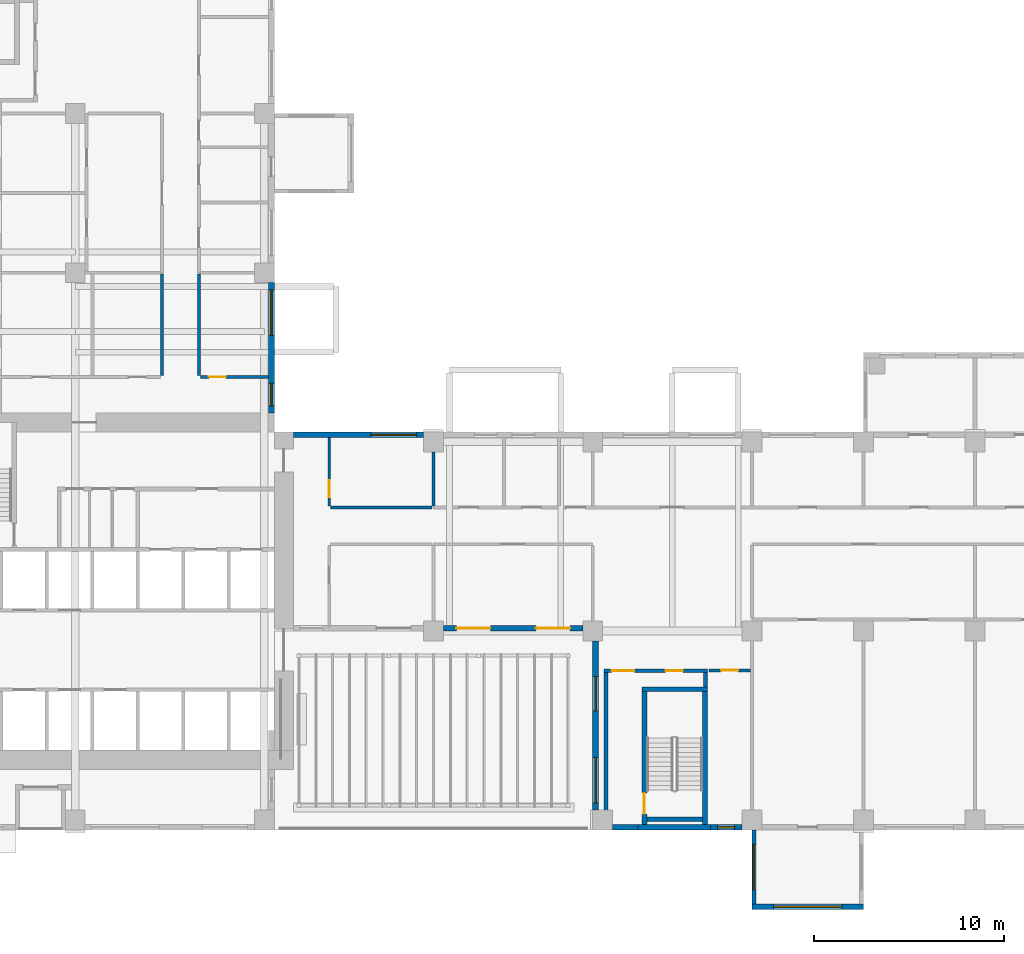
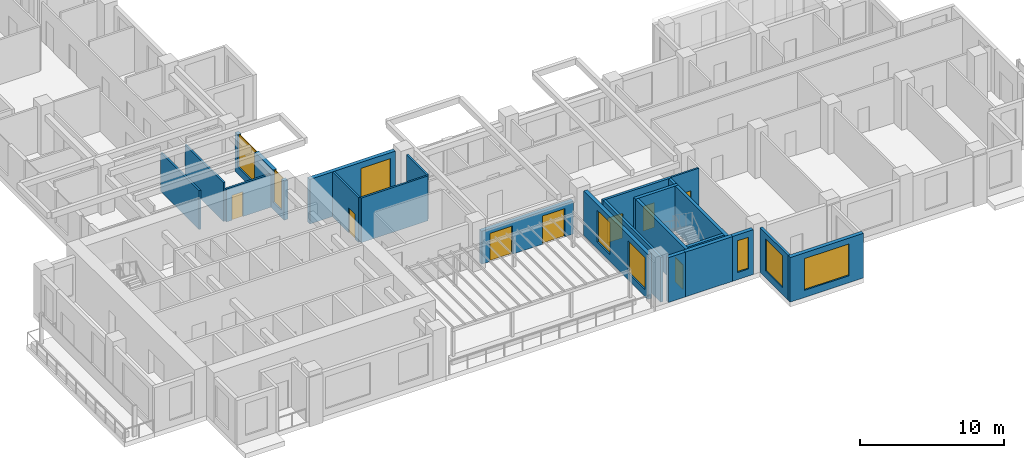
# One storey, part 5 of 15: 23 walls, 8 doors, 8 windows, 16 openings.
"""IFC4 building model written with IfcOpenShell, lengths in metres."""

from ifc_helpers import new_model, si_unit, direction, frame, frame_2d, origin, place, context, subcontext, project, spatial, rectangle, extrude, source, transform, mapped, material, layer, layer_set, type_object, element, fill, save


model = new_model("IFC4")

# Units and contexts
model_context = context("Model", 3, precision=1e-05, world=origin(), true_north=direction((0.0, 1.0)))
body_context = subcontext(model_context, "Body", "Model", "MODEL_VIEW")
ifc_project = project(units=[si_unit("LENGTHUNIT", "METRE"), si_unit("AREAUNIT", "SQUARE_METRE"), si_unit("VOLUMEUNIT", "CUBIC_METRE"), si_unit("PLANEANGLEUNIT", "RADIAN"), si_unit("MASSUNIT", "GRAM", prefix="KILO")], contexts=[model_context])

# Site, building, storey
site_placement = place(None, origin())
site = spatial("IfcSite", under=ifc_project, at=site_placement, CompositionType="ELEMENT")
building_placement = place(site_placement, origin())
building = spatial("IfcBuilding", under=site, at=building_placement, Name="Aurelian Terraces", CompositionType="ELEMENT")
storey_placement = place(building_placement, frame((0.0, 0.0, 145.5)))
storey = spatial("IfcBuildingStorey", under=building, at=storey_placement, Name="L32", CompositionType="ELEMENT", Elevation=145.5)

# Wall
ifc_material_1 = material(Name="Concrete fc' 40 MPa", Category="concrete")
ifc_layer_1 = layer(ifc_material_1, 0.3)
ifc_layer_set_1 = layer_set([ifc_layer_1], Name="STAIR BAY WALL 300")
wall_type_1 = type_object("IfcWallType", Name="STAIR BAY WALL 300", PredefinedType="SOLIDWALL", material=ifc_layer_set_1)
shared_shape_1 = source(origin(), body_context, "Body", "SweptSolid", [
    extrude(rectangle(XDim=3.8, YDim=0.3, at=frame_2d((1.9, 0.0))), origin(), (0.0, 0.0, 1.0), 3.8),
])
wall_1_placement = place(storey_placement, frame((40.2, 0.15, 0.0), z_axis=(0.0, 0.0, 1.0), x_axis=(1.0, 0.0, 0.0)))
element("IfcWall", 1, at=wall_1_placement, inside=storey, type_object=wall_type_1, Name="Stair bay wall L32 F05.9", PredefinedType="SOLIDWALL", context=body_context, shape_type="MappedRepresentation", body=[
    mapped(shared_shape_1, transform((0.0, 0.0, 0.0), scale=1.0)),
])

# Wall, opening, window
ifc_layer_2 = layer(ifc_material_1, 0.2)
ifc_layer_set_2 = layer_set([ifc_layer_2], Name="BOX BEARING WALL 200")
wall_type_2 = type_object("IfcWallType", Name="BOX BEARING WALL 200", PredefinedType="SOLIDWALL", material=ifc_layer_set_2)
shared_shape_2 = source(origin(), body_context, "Body", "SweptSolid", [
    extrude(rectangle(XDim=3.9, YDim=0.2, at=frame_2d((1.95, 0.0))), origin(), (0.0, 0.0, 1.0), 3.79),
])
wall_2_placement = place(storey_placement, frame((46.3, 0.0, 0.0), z_axis=(0.0, 0.0, 1.0), x_axis=(0.0, -1.0, 0.0)))
wall_2 = element("IfcWall", 2, at=wall_2_placement, inside=storey, type_object=wall_type_2, Name="Box return L32 J45.1", PredefinedType="SOLIDWALL", context=body_context, shape_type="MappedRepresentation", body=[
    mapped(shared_shape_2, transform((0.0, 0.0, 0.0), scale=1.0)),
])
shared_shape_3 = source(origin(), body_context, "Body", "SweptSolid", [
    extrude(rectangle(XDim=2.4, YDim=2.7, at=frame_2d((1.2, 1.35))), frame((0.0, 0.11, 0.0), z_axis=(0.0, -1.0, 0.0), x_axis=(1.0, 0.0, 0.0)), (0.0, 0.0, 1.0), 0.22),
])
opening_1_placement = place(wall_2_placement, frame((0.75, 0.0, 0.6)))
opening_1 = element("IfcOpeningElement", 3, at=opening_1_placement, cuts=wall_2, Name="Opening W2427", PredefinedType="OPENING", context=body_context, shape_type="MappedRepresentation", body=[
    mapped(shared_shape_3, transform((0.0, 0.0, 0.0), scale=1.0)),
])
ifc_material_2 = material(Name="Clear glazing", Category="glass")
window_type_1 = type_object("IfcWindowType", Name="W-2400x2700", PartitioningType="SINGLE_PANEL", PredefinedType="WINDOW", material=ifc_material_2)
shared_shape_4 = source(origin(), body_context, "Body", "SweptSolid", [
    extrude(rectangle(XDim=2.4, YDim=2.7, at=frame_2d((1.2, 1.35))), frame((0.0, 0.03, 0.0), z_axis=(0.0, -1.0, 0.0), x_axis=(1.0, 0.0, 0.0)), (0.0, 0.0, 1.0), 0.06),
])
window_1_placement = place(opening_1_placement, origin())
window_1 = element("IfcWindow", 4, at=window_1_placement, inside=storey, type_object=window_type_1, Name="Window L32 J45-S1", OverallHeight=2.7, OverallWidth=2.4, PartitioningType="SINGLE_PANEL", PredefinedType="WINDOW", context=body_context, shape_type="MappedRepresentation", body=[
    mapped(shared_shape_4, transform((0.0, 0.0, 0.0), scale=1.0)),
])
fill(opening_1, window_1)

ifc_layer_3 = layer(ifc_material_1, 0.3)
ifc_layer_set_3 = layer_set([ifc_layer_3], Name="BOX BEARING WALL 300")
wall_type_3 = type_object("IfcWallType", Name="BOX BEARING WALL 300", PredefinedType="SOLIDWALL", material=ifc_layer_set_3)
shared_shape_5 = source(origin(), body_context, "Body", "SweptSolid", [
    extrude(rectangle(XDim=5.88, YDim=0.3, at=frame_2d((2.94, 0.0))), origin(), (0.0, 0.0, 1.0), 3.79),
])
wall_3_placement = place(storey_placement, frame((46.2, -4.05, 0.0), z_axis=(0.0, 0.0, 1.0), x_axis=(1.0, 0.0, 0.0)))
wall_3 = element("IfcWall", 5, at=wall_3_placement, inside=storey, type_object=wall_type_3, Name="Box wall L32 J45", PredefinedType="SOLIDWALL", context=body_context, shape_type="MappedRepresentation", body=[
    mapped(shared_shape_5, transform((0.0, 0.0, 0.0), scale=1.0)),
])
shared_shape_6 = source(origin(), body_context, "Body", "SweptSolid", [
    extrude(rectangle(XDim=3.6, YDim=2.7, at=frame_2d((1.8, 1.35))), frame((0.0, 0.16, 0.0), z_axis=(0.0, -1.0, 0.0), x_axis=(1.0, 0.0, 0.0)), (0.0, 0.0, 1.0), 0.32),
])
opening_2_placement = place(wall_3_placement, frame((1.14, 0.0, 0.6)))
opening_2 = element("IfcOpeningElement", 6, at=opening_2_placement, cuts=wall_3, Name="Opening W3627", PredefinedType="OPENING", context=body_context, shape_type="MappedRepresentation", body=[
    mapped(shared_shape_6, transform((0.0, 0.0, 0.0), scale=1.0)),
])
window_type_2 = type_object("IfcWindowType", Name="W-3600x2700", PartitioningType="SINGLE_PANEL", PredefinedType="WINDOW", material=ifc_material_2)
shared_shape_7 = source(origin(), body_context, "Body", "SweptSolid", [
    extrude(rectangle(XDim=3.6, YDim=2.7, at=frame_2d((1.8, 1.35))), frame((0.0, 0.03, 0.0), z_axis=(0.0, -1.0, 0.0), x_axis=(1.0, 0.0, 0.0)), (0.0, 0.0, 1.0), 0.06),
])
window_2_placement = place(opening_2_placement, origin())
window_2 = element("IfcWindow", 7, at=window_2_placement, inside=storey, type_object=window_type_2, Name="Window L32 J45-F1", OverallHeight=2.7, OverallWidth=3.6, PartitioningType="SINGLE_PANEL", PredefinedType="WINDOW", context=body_context, shape_type="MappedRepresentation", body=[
    mapped(shared_shape_7, transform((0.0, 0.0, 0.0), scale=1.0)),
])
fill(opening_2, window_2)

# Wall, openings, windows
ifc_material_3 = material(Name="Terracotta rainscreen cladding", Category="masonry")
ifc_layer_4 = layer(ifc_material_3, 0.3)
ifc_layer_set_4 = layer_set([ifc_layer_4], Name="EW-300")
wall_type_4 = type_object("IfcWallType", Name="EW-300", PredefinedType="STANDARD", material=ifc_layer_set_4)
shared_shape_8 = source(origin(), body_context, "Body", "SweptSolid", [
    extrude(rectangle(XDim=8.925, YDim=0.3, at=frame_2d((4.4625, 0.0))), origin(), (0.0, 0.0, 1.0), 3.8),
])
wall_4_placement = place(storey_placement, frame((37.95, 9.975, 0.0), z_axis=(0.0, 0.0, 1.0), x_axis=(0.0, -1.0, 0.0)))
wall_4 = element("IfcWall", 8, at=wall_4_placement, inside=storey, type_object=wall_type_4, Name="External wall L32 F04.8", PredefinedType="STANDARD", context=body_context, shape_type="MappedRepresentation", body=[
    mapped(shared_shape_8, transform((0.0, 0.0, 0.0), scale=1.0)),
])
shared_shape_9 = source(origin(), body_context, "Body", "SweptSolid", [
    extrude(rectangle(XDim=1.8, YDim=2.7, at=frame_2d((0.9, 1.35))), frame((0.0, 0.16, 0.0), z_axis=(0.0, -1.0, 0.0), x_axis=(1.0, 0.0, 0.0)), (0.0, 0.0, 1.0), 0.32),
])
opening_3_placement = place(wall_4_placement, frame((1.8875, 0.0, 0.6)))
opening_3 = element("IfcOpeningElement", 9, at=opening_3_placement, cuts=wall_4, Name="Opening W1827", PredefinedType="OPENING", context=body_context, shape_type="MappedRepresentation", body=[
    mapped(shared_shape_9, transform((0.0, 0.0, 0.0), scale=1.0)),
])
shared_shape_10 = source(origin(), body_context, "Body", "SweptSolid", [
    extrude(rectangle(XDim=2.4, YDim=2.7, at=frame_2d((1.2, 1.35))), frame((0.0, 0.16, 0.0), z_axis=(0.0, -1.0, 0.0), x_axis=(1.0, 0.0, 0.0)), (0.0, 0.0, 1.0), 0.32),
])
opening_4_placement = place(wall_4_placement, frame((6.15, 0.0, 0.6)))
opening_4 = element("IfcOpeningElement", 10, at=opening_4_placement, cuts=wall_4, Name="Opening W2427", PredefinedType="OPENING", context=body_context, shape_type="MappedRepresentation", body=[
    mapped(shared_shape_10, transform((0.0, 0.0, 0.0), scale=1.0)),
])
window_3_placement = place(opening_4_placement, origin())
window_3 = element("IfcWindow", 11, at=window_3_placement, inside=storey, type_object=window_type_1, Name="Window L32 L32-F04-08-1", OverallHeight=2.7, OverallWidth=2.4, PartitioningType="SINGLE_PANEL", PredefinedType="WINDOW", context=body_context, shape_type="MappedRepresentation", body=[
    mapped(shared_shape_4, transform((0.0, 0.0, 0.0), scale=1.0)),
])
fill(opening_4, window_3)
window_type_3 = type_object("IfcWindowType", Name="W-1800x2700", PartitioningType="SINGLE_PANEL", PredefinedType="WINDOW", material=ifc_material_2)
shared_shape_11 = source(origin(), body_context, "Body", "SweptSolid", [
    extrude(rectangle(XDim=1.8, YDim=2.7, at=frame_2d((0.9, 1.35))), frame((0.0, 0.03, 0.0), z_axis=(0.0, -1.0, 0.0), x_axis=(1.0, 0.0, 0.0)), (0.0, 0.0, 1.0), 0.06),
])
window_4_placement = place(opening_3_placement, origin())
window_4 = element("IfcWindow", 12, at=window_4_placement, inside=storey, type_object=window_type_3, Name="Window L32 L32-F04-08-0", OverallHeight=2.7, OverallWidth=1.8, PartitioningType="SINGLE_PANEL", PredefinedType="WINDOW", context=body_context, shape_type="MappedRepresentation", body=[
    mapped(shared_shape_11, transform((0.0, 0.0, 0.0), scale=1.0)),
])
fill(opening_3, window_4)

# Wall, opening, window
shared_shape_12 = source(origin(), body_context, "Body", "SweptSolid", [
    extrude(rectangle(XDim=6.875, YDim=0.3, at=frame_2d((3.4375, 0.0))), origin(), (0.0, 0.0, 1.0), 3.8),
])
wall_5_placement = place(storey_placement, frame((28.875, 20.85, 0.0), z_axis=(0.0, 0.0, 1.0), x_axis=(-1.0, 0.0, 0.0)))
wall_5 = element("IfcWall", 13, at=wall_5_placement, inside=storey, type_object=wall_type_4, Name="External wall L32 F11.23", PredefinedType="STANDARD", context=body_context, shape_type="MappedRepresentation", body=[
    mapped(shared_shape_12, transform((0.0, 0.0, 0.0), scale=1.0)),
])
opening_5_placement = place(wall_5_placement, frame((0.375, 0.0, 0.6)))
opening_5 = element("IfcOpeningElement", 14, at=opening_5_placement, cuts=wall_5, Name="Opening W2427", PredefinedType="OPENING", context=body_context, shape_type="MappedRepresentation", body=[
    mapped(shared_shape_10, transform((0.0, 0.0, 0.0), scale=1.0)),
])
window_5_placement = place(opening_5_placement, origin())
window_5 = element("IfcWindow", 15, at=window_5_placement, inside=storey, type_object=window_type_1, Name="Window L32 L32-F11-23-3", OverallHeight=2.7, OverallWidth=2.4, PartitioningType="SINGLE_PANEL", PredefinedType="WINDOW", context=body_context, shape_type="MappedRepresentation", body=[
    mapped(shared_shape_4, transform((0.0, 0.0, 0.0), scale=1.0)),
])
fill(opening_5, window_5)

shared_shape_13 = source(origin(), body_context, "Body", "SweptSolid", [
    extrude(rectangle(XDim=1.675, YDim=0.3, at=frame_2d((0.8375, 0.0))), origin(), (0.0, 0.0, 1.0), 3.8),
])
wall_6_placement = place(storey_placement, frame((44.0, 0.15, 0.0), z_axis=(0.0, 0.0, 1.0), x_axis=(1.0, 0.0, 0.0)))
wall_6 = element("IfcWall", 16, at=wall_6_placement, inside=storey, type_object=wall_type_4, Name="External wall L32 F05.9", PredefinedType="STANDARD", context=body_context, shape_type="MappedRepresentation", body=[
    mapped(shared_shape_13, transform((0.0, 0.0, 0.0), scale=1.0)),
])
shared_shape_14 = source(origin(), body_context, "Body", "SweptSolid", [
    extrude(rectangle(XDim=0.9, YDim=2.7, at=frame_2d((0.45, 1.35))), frame((0.0, 0.16, 0.0), z_axis=(0.0, -1.0, 0.0), x_axis=(1.0, 0.0, 0.0)), (0.0, 0.0, 1.0), 0.32),
])
opening_6_placement = place(wall_6_placement, frame((0.3875, 0.0, 0.6)))
opening_6 = element("IfcOpeningElement", 17, at=opening_6_placement, cuts=wall_6, Name="Opening W0927", PredefinedType="OPENING", context=body_context, shape_type="MappedRepresentation", body=[
    mapped(shared_shape_14, transform((0.0, 0.0, 0.0), scale=1.0)),
])
window_type_4 = type_object("IfcWindowType", Name="W-900x2700", PartitioningType="SINGLE_PANEL", PredefinedType="WINDOW", material=ifc_material_2)
shared_shape_15 = source(origin(), body_context, "Body", "SweptSolid", [
    extrude(rectangle(XDim=0.9, YDim=2.7, at=frame_2d((0.45, 1.35))), frame((0.0, 0.03, 0.0), z_axis=(0.0, -1.0, 0.0), x_axis=(1.0, 0.0, 0.0)), (0.0, 0.0, 1.0), 0.06),
])
window_6_placement = place(opening_6_placement, origin())
window_6 = element("IfcWindow", 18, at=window_6_placement, inside=storey, type_object=window_type_4, Name="Window L32 L32-F05-09-P2", OverallHeight=2.7, OverallWidth=0.9, PartitioningType="SINGLE_PANEL", PredefinedType="WINDOW", context=body_context, shape_type="MappedRepresentation", body=[
    mapped(shared_shape_15, transform((0.0, 0.0, 0.0), scale=1.0)),
])
fill(opening_6, window_6)

# Wall, openings, doors
shared_shape_16 = source(origin(), body_context, "Body", "SweptSolid", [
    extrude(rectangle(XDim=7.35, YDim=0.3, at=frame_2d((3.675, 0.0))), origin(), (0.0, 0.0, 1.0), 2.8),
])
wall_7_placement = place(storey_placement, frame((29.925, 10.65, 0.0), z_axis=(0.0, 0.0, 1.0), x_axis=(1.0, 0.0, 0.0)))
wall_7 = element("IfcWall", 19, at=wall_7_placement, inside=storey, type_object=wall_type_4, Name="External wall L32 F03.7", PredefinedType="STANDARD", context=body_context, shape_type="MappedRepresentation", body=[
    mapped(shared_shape_16, transform((0.0, 0.0, 0.0), scale=1.0)),
])
shared_shape_17 = source(origin(), body_context, "Body", "SweptSolid", [
    extrude(rectangle(XDim=1.8, YDim=2.4, at=frame_2d((0.9, 1.2))), frame((0.0, 0.16, 0.0), z_axis=(0.0, -1.0, 0.0), x_axis=(1.0, 0.0, 0.0)), (0.0, 0.0, 1.0), 0.32),
])
opening_7_placement = place(wall_7_placement, frame((0.675, 0.0, 0.0)))
opening_7 = element("IfcOpeningElement", 20, at=opening_7_placement, cuts=wall_7, Name="Opening 83203", PredefinedType="OPENING", context=body_context, shape_type="MappedRepresentation", body=[
    mapped(shared_shape_17, transform((0.0, 0.0, 0.0), scale=1.0)),
])
opening_8_placement = place(wall_7_placement, frame((4.875, 0.0, 0.0)))
opening_8 = element("IfcOpeningElement", 21, at=opening_8_placement, cuts=wall_7, Name="Opening 83204", PredefinedType="OPENING", context=body_context, shape_type="MappedRepresentation", body=[
    mapped(shared_shape_17, transform((0.0, 0.0, 0.0), scale=1.0)),
])
door_type_1 = type_object("IfcDoorType", Name="BD-1800x2400", OperationType="SLIDING_TO_LEFT", PredefinedType="DOOR", material=ifc_material_2)
shared_shape_18 = source(origin(), body_context, "Body", "SweptSolid", [
    extrude(rectangle(XDim=1.8, YDim=2.4, at=frame_2d((0.9, 1.2))), frame((0.0, 0.025, 0.0), z_axis=(0.0, -1.0, 0.0), x_axis=(1.0, 0.0, 0.0)), (0.0, 0.0, 1.0), 0.05),
])
door_1_placement = place(opening_7_placement, origin())
door_1 = element("IfcDoor", 22, at=door_1_placement, inside=storey, type_object=door_type_1, Name="Terrace door L32 L32-F03-07.1", OperationType="SLIDING_TO_LEFT", OverallHeight=2.4, OverallWidth=1.8, PredefinedType="DOOR", context=body_context, shape_type="MappedRepresentation", body=[
    mapped(shared_shape_18, transform((0.0, 0.0, 0.0), scale=1.0)),
])
fill(opening_7, door_1)
door_2_placement = place(opening_8_placement, origin())
door_2 = element("IfcDoor", 23, at=door_2_placement, inside=storey, type_object=door_type_1, Name="Terrace door L32 L32-F03-07.2", OperationType="SLIDING_TO_LEFT", OverallHeight=2.4, OverallWidth=1.8, PredefinedType="DOOR", context=body_context, shape_type="MappedRepresentation", body=[
    mapped(shared_shape_18, transform((0.0, 0.0, 0.0), scale=1.0)),
])
fill(opening_8, door_2)

# Wall
shared_shape_19 = source(origin(), body_context, "Body", "SweptSolid", [
    extrude(rectangle(XDim=1.35, YDim=0.3, at=frame_2d((0.675, 0.0))), origin(), (0.0, 0.0, 1.0), 3.8),
])
wall_8_placement = place(storey_placement, frame((38.85, 0.15, 0.0), z_axis=(0.0, 0.0, 1.0), x_axis=(1.0, 0.0, 0.0)))
element("IfcWall", 24, at=wall_8_placement, inside=storey, type_object=wall_type_4, Name="External wall L32 F05.9", PredefinedType="STANDARD", context=body_context, shape_type="MappedRepresentation", body=[
    mapped(shared_shape_19, transform((0.0, 0.0, 0.0), scale=1.0)),
])

# Wall, openings, windows
shared_shape_20 = source(origin(), body_context, "Body", "SweptSolid", [
    extrude(rectangle(XDim=6.875, YDim=0.3, at=frame_2d((3.4375, 0.0))), origin(), (0.0, 0.0, 1.0), 3.3),
])
wall_9_placement = place(storey_placement, frame((20.85, 22.0, 0.0), z_axis=(0.0, 0.0, 1.0), x_axis=(0.0, 1.0, 0.0)))
wall_9 = element("IfcWall", 25, at=wall_9_placement, inside=storey, type_object=wall_type_4, Name="External wall L32 F12.24", PredefinedType="STANDARD", context=body_context, shape_type="MappedRepresentation", body=[
    mapped(shared_shape_20, transform((0.0, 0.0, 0.0), scale=1.0)),
])
shared_shape_21 = source(origin(), body_context, "Body", "SweptSolid", [
    extrude(rectangle(XDim=1.2, YDim=2.7, at=frame_2d((0.6, 1.35))), frame((0.0, 0.16, 0.0), z_axis=(0.0, -1.0, 0.0), x_axis=(1.0, 0.0, 0.0)), (0.0, 0.0, 1.0), 0.32),
])
opening_9_placement = place(wall_9_placement, frame((0.3625, 0.0, 0.6)))
opening_9 = element("IfcOpeningElement", 26, at=opening_9_placement, cuts=wall_9, Name="Opening W1227", PredefinedType="OPENING", context=body_context, shape_type="MappedRepresentation", body=[
    mapped(shared_shape_21, transform((0.0, 0.0, 0.0), scale=1.0)),
])
opening_10_placement = place(wall_9_placement, frame((4.1, 0.0, 0.6)))
opening_10 = element("IfcOpeningElement", 27, at=opening_10_placement, cuts=wall_9, Name="Opening W2427", PredefinedType="OPENING", context=body_context, shape_type="MappedRepresentation", body=[
    mapped(shared_shape_10, transform((0.0, 0.0, 0.0), scale=1.0)),
])
window_7_placement = place(opening_10_placement, origin())
window_7 = element("IfcWindow", 28, at=window_7_placement, inside=storey, type_object=window_type_1, Name="Window L32 L32-F12-24-1", OverallHeight=2.7, OverallWidth=2.4, PartitioningType="SINGLE_PANEL", PredefinedType="WINDOW", context=body_context, shape_type="MappedRepresentation", body=[
    mapped(shared_shape_4, transform((0.0, 0.0, 0.0), scale=1.0)),
])
fill(opening_10, window_7)
window_type_5 = type_object("IfcWindowType", Name="W-1200x2700", PartitioningType="SINGLE_PANEL", PredefinedType="WINDOW", material=ifc_material_2)
shared_shape_22 = source(origin(), body_context, "Body", "SweptSolid", [
    extrude(rectangle(XDim=1.2, YDim=2.7, at=frame_2d((0.6, 1.35))), frame((0.0, 0.03, 0.0), z_axis=(0.0, -1.0, 0.0), x_axis=(1.0, 0.0, 0.0)), (0.0, 0.0, 1.0), 0.06),
])
window_8_placement = place(opening_9_placement, origin())
window_8 = element("IfcWindow", 29, at=window_8_placement, inside=storey, type_object=window_type_5, Name="Window L32 L32-F12-24-0", OverallHeight=2.7, OverallWidth=1.2, PartitioningType="SINGLE_PANEL", PredefinedType="WINDOW", context=body_context, shape_type="MappedRepresentation", body=[
    mapped(shared_shape_22, transform((0.0, 0.0, 0.0), scale=1.0)),
])
fill(opening_9, window_8)

# Wall, opening, door
ifc_layer_5 = layer(ifc_material_1, 0.25)
ifc_layer_set_5 = layer_set([ifc_layer_5], Name="Stair enclosure wall 250")
wall_type_5 = type_object("IfcWallType", Name="Stair enclosure wall 250", PredefinedType="SOLIDWALL", material=ifc_layer_set_5)
shared_shape_23 = source(origin(), body_context, "Body", "SweptSolid", [
    extrude(rectangle(XDim=7.0, YDim=0.25, at=frame_2d((3.5, 0.0))), origin(), (0.0, 0.0, 1.0), 3.8),
])
wall_10_placement = place(storey_placement, frame((40.525, 0.3, 0.0), z_axis=(0.0, 0.0, 1.0), x_axis=(0.0, 1.0, 0.0)))
wall_10 = element("IfcWall", 30, at=wall_10_placement, inside=storey, type_object=wall_type_5, Name="L32 core wall ST-S2-W", PredefinedType="SOLIDWALL", context=body_context, shape_type="MappedRepresentation", body=[
    mapped(shared_shape_23, transform((0.0, 0.0, 0.0), scale=1.0)),
])
shared_shape_24 = source(origin(), body_context, "Body", "SweptSolid", [
    extrude(rectangle(XDim=1.1, YDim=2.1, at=frame_2d((0.55, 1.05))), frame((0.0, 0.135, 0.0), z_axis=(0.0, -1.0, 0.0), x_axis=(1.0, 0.0, 0.0)), (0.0, 0.0, 1.0), 0.27),
])
opening_11_placement = place(wall_10_placement, frame((0.55, 0.0, 0.0)))
opening_11 = element("IfcOpeningElement", 31, at=opening_11_placement, cuts=wall_10, Name="Opening 63515", PredefinedType="OPENING", context=body_context, shape_type="MappedRepresentation", body=[
    mapped(shared_shape_24, transform((0.0, 0.0, 0.0), scale=1.0)),
])
ifc_material_4 = material(Name="Steel door leaf", Category="steel")
door_type_2 = type_object("IfcDoorType", Name="Core fire door 1100x2100", OperationType="SINGLE_SWING_LEFT", PredefinedType="DOOR", material=ifc_material_4)
shared_shape_25 = source(origin(), body_context, "Body", "SweptSolid", [
    extrude(rectangle(XDim=1.1, YDim=2.1, at=frame_2d((0.55, 1.05))), frame((0.0, 0.025, 0.0), z_axis=(0.0, -1.0, 0.0), x_axis=(1.0, 0.0, 0.0)), (0.0, 0.0, 1.0), 0.05),
])
door_3_placement = place(opening_11_placement, origin())
door_3 = element("IfcDoor", 32, at=door_3_placement, inside=storey, type_object=door_type_2, Name="Stair door 63515", OperationType="SINGLE_SWING_LEFT", OverallHeight=2.1, OverallWidth=1.1, PredefinedType="DOOR", context=body_context, shape_type="MappedRepresentation", body=[
    mapped(shared_shape_25, transform((0.0, 0.0, 0.0), scale=1.0)),
])
fill(opening_11, door_3)

# Walls
wall_11_placement = place(storey_placement, frame((43.725, 0.3, 0.0), z_axis=(0.0, 0.0, 1.0), x_axis=(0.0, 1.0, 0.0)))
element("IfcWall", 33, at=wall_11_placement, inside=storey, type_object=wall_type_5, Name="L32 core wall ST-S2-E", PredefinedType="SOLIDWALL", context=body_context, shape_type="MappedRepresentation", body=[
    mapped(shared_shape_23, transform((0.0, 0.0, 0.0), scale=1.0)),
])
shared_shape_26 = source(origin(), body_context, "Body", "SweptSolid", [
    extrude(rectangle(XDim=3.45, YDim=0.25, at=frame_2d((1.725, 0.0))), origin(), (0.0, 0.0, 1.0), 3.8),
])
wall_12_placement = place(storey_placement, frame((40.4, 7.425, 0.0), z_axis=(0.0, 0.0, 1.0), x_axis=(1.0, 0.0, 0.0)))
element("IfcWall", 34, at=wall_12_placement, inside=storey, type_object=wall_type_5, Name="L32 core wall ST-S2-N", PredefinedType="SOLIDWALL", context=body_context, shape_type="MappedRepresentation", body=[
    mapped(shared_shape_26, transform((0.0, 0.0, 0.0), scale=1.0)),
])
shared_shape_27 = source(origin(), body_context, "Body", "SweptSolid", [
    extrude(rectangle(XDim=2.95, YDim=0.25, at=frame_2d((1.475, 0.0))), origin(), (0.0, 0.0, 1.0), 3.8),
])
wall_13_placement = place(storey_placement, frame((40.65, 0.575, 0.0), z_axis=(0.0, 0.0, 1.0), x_axis=(1.0, 0.0, 0.0)))
element("IfcWall", 35, at=wall_13_placement, inside=storey, type_object=wall_type_5, Name="L32 core wall ST-S2-SS", PredefinedType="SOLIDWALL", context=body_context, shape_type="MappedRepresentation", body=[
    mapped(shared_shape_27, transform((0.0, 0.0, 0.0), scale=1.0)),
])
ifc_material_5 = material(Name="Gypsum board on steel studs", Category="steel")
ifc_layer_6 = layer(ifc_material_5, 0.2)
ifc_layer_set_6 = layer_set([ifc_layer_6], Name="Core partition 200")
wall_type_6 = type_object("IfcWallType", Name="Core partition 200", PredefinedType="PARTITIONING", material=ifc_layer_set_6)
shared_shape_28 = source(origin(), body_context, "Body", "SweptSolid", [
    extrude(rectangle(XDim=8.0, YDim=0.2, at=frame_2d((4.0, 0.0))), origin(), (0.0, 0.0, 1.0), 3.8),
])
wall_14_placement = place(storey_placement, frame((38.5, 0.3, 0.0), z_axis=(0.0, 0.0, 1.0), x_axis=(0.0, 1.0, 0.0)))
element("IfcWall", 36, at=wall_14_placement, inside=storey, type_object=wall_type_6, Name="L32 core wall ST-S2-VW", PredefinedType="PARTITIONING", context=body_context, shape_type="MappedRepresentation", body=[
    mapped(shared_shape_28, transform((0.0, 0.0, 0.0), scale=1.0)),
])

# Wall, openings, doors
shared_shape_29 = source(origin(), body_context, "Body", "SweptSolid", [
    extrude(rectangle(XDim=5.45, YDim=0.2, at=frame_2d((2.725, 0.0))), origin(), (0.0, 0.0, 1.0), 3.8),
])
wall_15_placement = place(storey_placement, frame((38.4, 8.4, 0.0), z_axis=(0.0, 0.0, 1.0), x_axis=(1.0, 0.0, 0.0)))
wall_15 = element("IfcWall", 37, at=wall_15_placement, inside=storey, type_object=wall_type_6, Name="L32 core wall ST-S2-BN", PredefinedType="PARTITIONING", context=body_context, shape_type="MappedRepresentation", body=[
    mapped(shared_shape_29, transform((0.0, 0.0, 0.0), scale=1.0)),
])
shared_shape_30 = source(origin(), body_context, "Body", "SweptSolid", [
    extrude(rectangle(XDim=1.2, YDim=2.1, at=frame_2d((0.6, 1.05))), frame((0.0, 0.11, 0.0), z_axis=(0.0, -1.0, 0.0), x_axis=(1.0, 0.0, 0.0)), (0.0, 0.0, 1.0), 0.22),
])
opening_12_placement = place(wall_15_placement, frame((0.4, 0.0, 0.0)))
opening_12 = element("IfcOpeningElement", 38, at=opening_12_placement, cuts=wall_15, Name="Opening 63516", PredefinedType="OPENING", context=body_context, shape_type="MappedRepresentation", body=[
    mapped(shared_shape_30, transform((0.0, 0.0, 0.0), scale=1.0)),
])
shared_shape_31 = source(origin(), body_context, "Body", "SweptSolid", [
    extrude(rectangle(XDim=0.9, YDim=2.1, at=frame_2d((0.45, 1.05))), frame((0.0, 0.11, 0.0), z_axis=(0.0, -1.0, 0.0), x_axis=(1.0, 0.0, 0.0)), (0.0, 0.0, 1.0), 0.22),
])
opening_13_placement = place(wall_15_placement, frame((3.25, 0.0, 0.0)))
opening_13 = element("IfcOpeningElement", 39, at=opening_13_placement, cuts=wall_15, Name="Opening 63517", PredefinedType="OPENING", context=body_context, shape_type="MappedRepresentation", body=[
    mapped(shared_shape_31, transform((0.0, 0.0, 0.0), scale=1.0)),
])
door_type_3 = type_object("IfcDoorType", Name="Core riser door 900x2100", OperationType="SINGLE_SWING_LEFT", PredefinedType="DOOR", material=ifc_material_4)
shared_shape_32 = source(origin(), body_context, "Body", "SweptSolid", [
    extrude(rectangle(XDim=0.9, YDim=2.1, at=frame_2d((0.45, 1.05))), frame((0.0, 0.025, 0.0), z_axis=(0.0, -1.0, 0.0), x_axis=(1.0, 0.0, 0.0)), (0.0, 0.0, 1.0), 0.05),
])
door_4_placement = place(opening_13_placement, origin())
door_4 = element("IfcDoor", 40, at=door_4_placement, inside=storey, type_object=door_type_3, Name="Riser door 63517", OperationType="SINGLE_SWING_LEFT", OverallHeight=2.1, OverallWidth=0.9, PredefinedType="DOOR", context=body_context, shape_type="MappedRepresentation", body=[
    mapped(shared_shape_32, transform((0.0, 0.0, 0.0), scale=1.0)),
])
fill(opening_13, door_4)
door_type_4 = type_object("IfcDoorType", Name="Core fire door 1200x2100 right", OperationType="SINGLE_SWING_RIGHT", PredefinedType="DOOR", material=ifc_material_4)
shared_shape_33 = source(origin(), body_context, "Body", "SweptSolid", [
    extrude(rectangle(XDim=1.2, YDim=2.1, at=frame_2d((0.6, 1.05))), frame((0.0, 0.025, 0.0), z_axis=(0.0, -1.0, 0.0), x_axis=(1.0, 0.0, 0.0)), (0.0, 0.0, 1.0), 0.05),
])
door_5_placement = place(opening_12_placement, origin())
door_5 = element("IfcDoor", 41, at=door_5_placement, inside=storey, type_object=door_type_4, Name="Vestibule door 63516", OperationType="SINGLE_SWING_RIGHT", OverallHeight=2.1, OverallWidth=1.2, PredefinedType="DOOR", context=body_context, shape_type="MappedRepresentation", body=[
    mapped(shared_shape_33, transform((0.0, 0.0, 0.0), scale=1.0)),
])
fill(opening_12, door_5)

# Wall
shared_shape_34 = source(origin(), body_context, "Body", "SweptSolid", [
    extrude(rectangle(XDim=0.75, YDim=0.2, at=frame_2d((0.375, 0.0))), origin(), (0.0, 0.0, 1.0), 3.8),
])
wall_16_placement = place(storey_placement, frame((43.75, 7.55, 0.0), z_axis=(0.0, 0.0, 1.0), x_axis=(0.0, 1.0, 0.0)))
element("IfcWall", 42, at=wall_16_placement, inside=storey, type_object=wall_type_6, Name="L32 core wall ST-S2-RE", PredefinedType="PARTITIONING", context=body_context, shape_type="MappedRepresentation", body=[
    mapped(shared_shape_34, transform((0.0, 0.0, 0.0), scale=1.0)),
])

# Wall, opening, door
ifc_layer_7 = layer(ifc_material_5, 0.15)
ifc_layer_set_7 = layer_set([ifc_layer_7], Name="Partition 150")
wall_type_7 = type_object("IfcWallType", Name="Partition 150", PredefinedType="PARTITIONING", material=ifc_layer_set_7)
shared_shape_35 = source(origin(), body_context, "Body", "SweptSolid", [
    extrude(rectangle(XDim=3.6, YDim=0.15, at=frame_2d((1.8, 0.0))), origin(), (0.0, 0.0, 1.0), 3.8),
])
wall_17_placement = place(storey_placement, frame((23.9, 20.7, 0.0), z_axis=(0.0, 0.0, 1.0), x_axis=(0.0, -1.0, 0.0)))
wall_17 = element("IfcWall", 43, at=wall_17_placement, inside=storey, type_object=wall_type_7, Name="Partition", PredefinedType="PARTITIONING", context=body_context, shape_type="MappedRepresentation", body=[
    mapped(shared_shape_35, transform((0.0, 0.0, 0.0), scale=1.0)),
])
shared_shape_36 = source(origin(), body_context, "Body", "SweptSolid", [
    extrude(rectangle(XDim=0.9, YDim=2.1, at=frame_2d((0.45, 1.05))), frame((0.0, 0.085, 0.0), z_axis=(0.0, -1.0, 0.0), x_axis=(1.0, 0.0, 0.0)), (0.0, 0.0, 1.0), 0.17),
])
opening_14_placement = place(wall_17_placement, frame((2.25, 0.0, 0.0)))
opening_14 = element("IfcOpeningElement", 44, at=opening_14_placement, cuts=wall_17, Name="Opening 732002", PredefinedType="OPENING", context=body_context, shape_type="MappedRepresentation", body=[
    mapped(shared_shape_36, transform((0.0, 0.0, 0.0), scale=1.0)),
])
ifc_material_6 = material(Name="Timber door leaf", Category="wood")
door_type_5 = type_object("IfcDoorType", Name="Room door 900x2100 right", OperationType="SINGLE_SWING_RIGHT", PredefinedType="DOOR", material=ifc_material_6)
door_6_placement = place(opening_14_placement, origin())
door_6 = element("IfcDoor", 45, at=door_6_placement, inside=storey, type_object=door_type_5, Name="Door 732002", OperationType="SINGLE_SWING_RIGHT", OverallHeight=2.1, OverallWidth=0.9, PredefinedType="DOOR", context=body_context, shape_type="MappedRepresentation", body=[
    mapped(shared_shape_32, transform((0.0, 0.0, 0.0), scale=1.0)),
])
fill(opening_14, door_6)

shared_shape_37 = source(origin(), body_context, "Body", "SweptSolid", [
    extrude(rectangle(XDim=2.2, YDim=0.15, at=frame_2d((1.1, 0.0))), origin(), (0.0, 0.0, 1.0), 3.8),
])
wall_18_placement = place(storey_placement, frame((46.125, 8.425, 0.0), z_axis=(0.0, 0.0, 1.0), x_axis=(-1.0, 0.0, 0.0)))
wall_18 = element("IfcWall", 46, at=wall_18_placement, inside=storey, type_object=wall_type_7, Name="Partition", PredefinedType="PARTITIONING", context=body_context, shape_type="MappedRepresentation", body=[
    mapped(shared_shape_37, transform((0.0, 0.0, 0.0), scale=1.0)),
])
opening_15_placement = place(wall_18_placement, frame((0.65, 0.0, 0.0)))
opening_15 = element("IfcOpeningElement", 47, at=opening_15_placement, cuts=wall_18, Name="Opening 732003", PredefinedType="OPENING", context=body_context, shape_type="MappedRepresentation", body=[
    mapped(shared_shape_36, transform((0.0, 0.0, 0.0), scale=1.0)),
])
door_type_6 = type_object("IfcDoorType", Name="Room door 900x2100 left", OperationType="SINGLE_SWING_LEFT", PredefinedType="DOOR", material=ifc_material_6)
door_7_placement = place(opening_15_placement, origin())
door_7 = element("IfcDoor", 48, at=door_7_placement, inside=storey, type_object=door_type_6, Name="Door 732003", OperationType="SINGLE_SWING_LEFT", OverallHeight=2.1, OverallWidth=0.9, PredefinedType="DOOR", context=body_context, shape_type="MappedRepresentation", body=[
    mapped(shared_shape_32, transform((0.0, 0.0, 0.0), scale=1.0)),
])
fill(opening_15, door_7)

shared_shape_38 = source(origin(), body_context, "Body", "SweptSolid", [
    extrude(rectangle(XDim=3.6, YDim=0.15, at=frame_2d((1.8, 0.0))), origin(), (0.0, 0.0, 1.0), 2.8),
])
wall_19_placement = place(storey_placement, frame((17.1, 23.9, 0.0), z_axis=(0.0, 0.0, 1.0), x_axis=(1.0, 0.0, 0.0)))
wall_19 = element("IfcWall", 49, at=wall_19_placement, inside=storey, type_object=wall_type_7, Name="Partition", PredefinedType="PARTITIONING", context=body_context, shape_type="MappedRepresentation", body=[
    mapped(shared_shape_38, transform((0.0, 0.0, 0.0), scale=1.0)),
])
opening_16_placement = place(wall_19_placement, frame((0.45, 0.0, 0.0)))
opening_16 = element("IfcOpeningElement", 50, at=opening_16_placement, cuts=wall_19, Name="Opening 732022", PredefinedType="OPENING", context=body_context, shape_type="MappedRepresentation", body=[
    mapped(shared_shape_36, transform((0.0, 0.0, 0.0), scale=1.0)),
])
door_8_placement = place(opening_16_placement, origin())
door_8 = element("IfcDoor", 51, at=door_8_placement, inside=storey, type_object=door_type_5, Name="Door 732022", OperationType="SINGLE_SWING_RIGHT", OverallHeight=2.1, OverallWidth=0.9, PredefinedType="DOOR", context=body_context, shape_type="MappedRepresentation", body=[
    mapped(shared_shape_32, transform((0.0, 0.0, 0.0), scale=1.0)),
])
fill(opening_16, door_8)

# Walls
shared_shape_39 = source(origin(), body_context, "Body", "SweptSolid", [
    extrude(rectangle(XDim=2.851, YDim=0.15, at=frame_2d((1.4255, 0.0))), origin(), (0.0, 0.0, 1.0), 3.8),
])
wall_20_placement = place(storey_placement, frame((29.4, 17.1, 0.0), z_axis=(0.0, 0.0, 1.0), x_axis=(0.0, 1.0, 0.0)))
element("IfcWall", 52, at=wall_20_placement, inside=storey, type_object=wall_type_7, Name="Partition", PredefinedType="PARTITIONING", context=body_context, shape_type="MappedRepresentation", body=[
    mapped(shared_shape_39, transform((0.0, 0.0, 0.0), scale=1.0)),
])
ifc_layer_8 = layer(ifc_material_5, 0.15)
ifc_layer_set_8 = layer_set([ifc_layer_8], Name="Fire partition 150")
wall_type_8 = type_object("IfcWallType", Name="Fire partition 150", PredefinedType="PARTITIONING", material=ifc_layer_set_8)
shared_shape_40 = source(origin(), body_context, "Body", "SweptSolid", [
    extrude(rectangle(XDim=5.35, YDim=0.15, at=frame_2d((2.675, 0.0))), origin(), (0.0, 0.0, 1.0), 3.8),
])
wall_21_placement = place(storey_placement, frame((23.975, 17.025, 0.0), z_axis=(0.0, 0.0, 1.0), x_axis=(1.0, 0.0, 0.0)))
element("IfcWall", 53, at=wall_21_placement, inside=storey, type_object=wall_type_8, Name="Corridor wall", PredefinedType="PARTITIONING", context=body_context, shape_type="MappedRepresentation", body=[
    mapped(shared_shape_40, transform((0.0, 0.0, 0.0), scale=1.0)),
])
shared_shape_41 = source(origin(), body_context, "Body", "SweptSolid", [
    extrude(rectangle(XDim=5.35, YDim=0.15, at=frame_2d((2.675, 0.0))), origin(), (0.0, 0.0, 1.0), 3.3),
])
for number, where, z_axis, x_axis, name in (
    (54, (15.075, 23.975, 0.0), (0.0, 0.0, 1.0), (0.0, 1.0, 0.0), "Corridor wall"),
    (55, (17.025, 29.325, 0.0), (0.0, 0.0, 1.0), (0.0, -1.0, 0.0), "Corridor wall"),
):
    element("IfcWall", number, at=place(storey_placement, frame(where, z_axis=z_axis, x_axis=x_axis)), inside=storey, type_object=wall_type_8, Name=name, PredefinedType="PARTITIONING", context=body_context, shape_type="MappedRepresentation", body=[
        mapped(shared_shape_41, transform((0.0, 0.0, 0.0), scale=1.0)),
    ])

save(model, "model.ifc")
